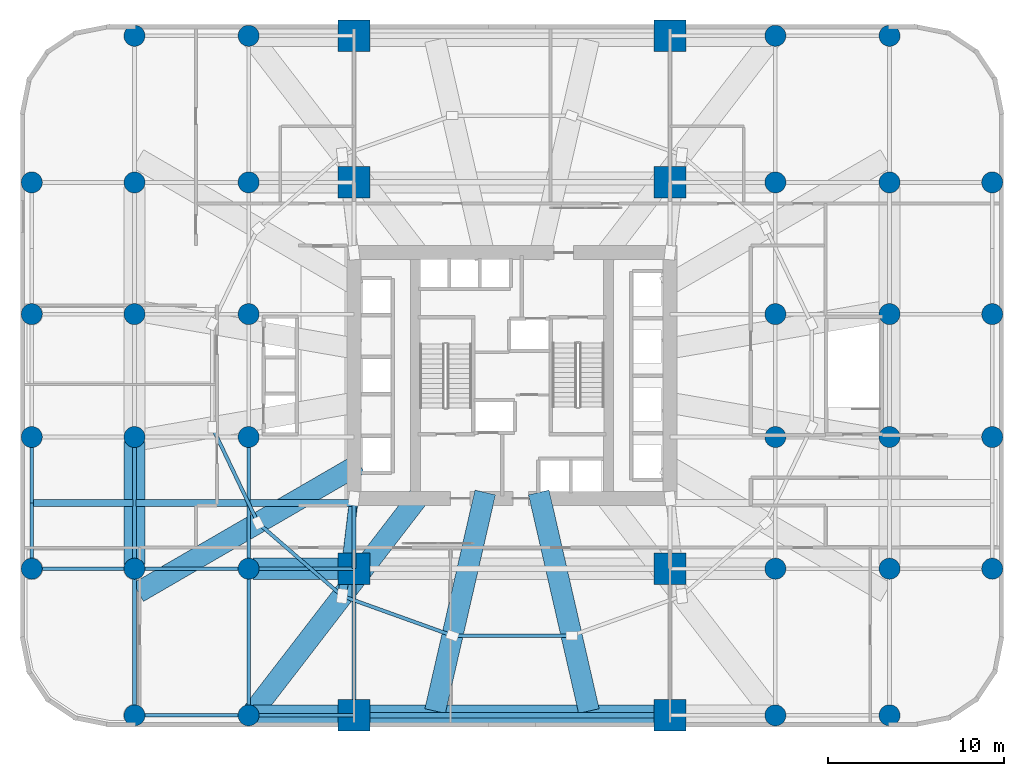
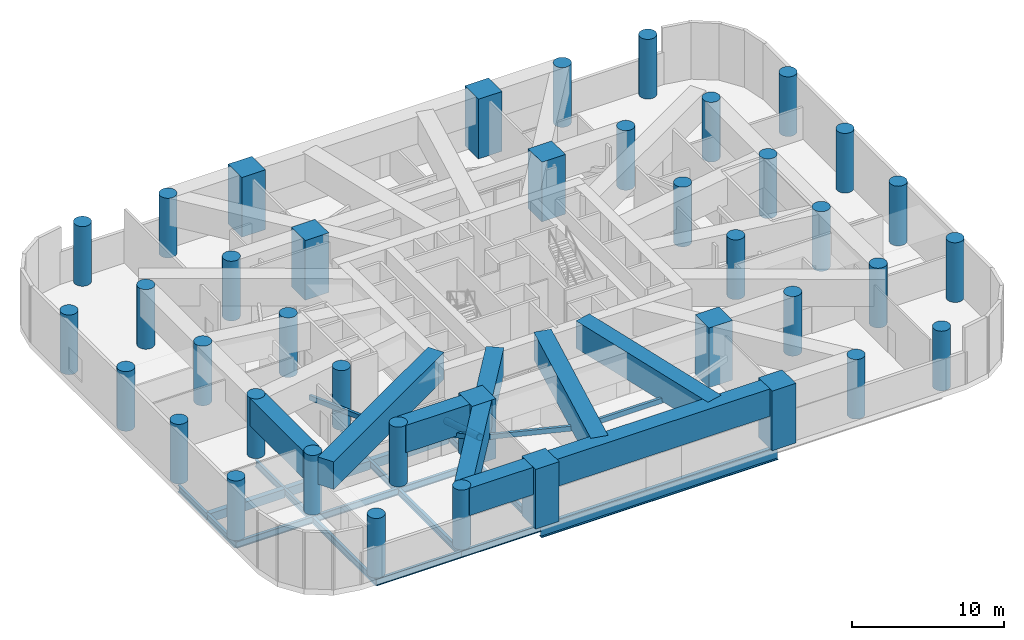
# One storey, part 1 of 10: 40 columns, 25 beams, 5 members.
"""IFC4 building model written with IfcOpenShell, lengths in metres."""

from ifc_helpers import new_model, si_unit, direction, frame, origin, origin_2d, place, context, subcontext, project, spatial, rectangle, hollow_rectangle, circle, hollow_circle, i_section, extrude, material, material_profile, profile_set, type_object, element, save


model = new_model("IFC4")

# Units and contexts
model_context = context("Model", 3, precision=1e-05, world=origin(), true_north=direction((0.0, 1.0)))
body_context = subcontext(model_context, "Body", "Model", "MODEL_VIEW")
ifc_project = project(units=[si_unit("LENGTHUNIT", "METRE"), si_unit("AREAUNIT", "SQUARE_METRE"), si_unit("VOLUMEUNIT", "CUBIC_METRE"), si_unit("PLANEANGLEUNIT", "RADIAN"), si_unit("MASSUNIT", "GRAM", prefix="KILO")], contexts=[model_context])

# Site, building, storey
site_placement = place(None, origin())
site = spatial("IfcSite", under=ifc_project, at=site_placement, CompositionType="ELEMENT")
building_placement = place(site_placement, origin())
building = spatial("IfcBuilding", under=site, at=building_placement, Name="Veldorim Arch Residences", CompositionType="ELEMENT")
storey_placement = place(building_placement, frame((0.0, 0.0, 20.0)))
storey = spatial("IfcBuildingStorey", under=building, at=storey_placement, Name="L05", CompositionType="ELEMENT", Elevation=20.0)

# Columns
ifc_material_1 = material(Name="Concrete C60/75", Category="concrete")
ifc_material_profile_1 = material_profile(ifc_material_1, circle(Radius=0.60009765625, at=origin_2d()), Name="RC_CIRC_1200")
ifc_profile_set_1 = profile_set([ifc_material_profile_1], Name="Concrete C60/75")
column_type_1 = type_object("IfcColumnType", Name="Structural Column RC_CIRC_1200", PredefinedType="COLUMN", material=ifc_profile_set_1)
for number, where, z_axis, x_axis, name in (
    (1, (4.64990234375, 13.0, 0.0), (0.0, 0.0, 1.0), (1.0, 0.0, 0.0), "L05 podium column (4.65, 13.00)"),
    (2, (4.64990234375, 20.5, 0.0), (0.0, 0.0, 1.0), (1.0, 0.0, 0.0), "L05 podium column (4.65, 20.50)"),
    (3, (4.64990234375, 27.5, 0.0), (0.0, 0.0, 1.0), (1.0, 0.0, 0.0), "L05 podium column (4.65, 27.50)"),
    (4, (4.64990234375, 35.0, 0.0), (0.0, 0.0, 1.0), (1.0, 0.0, 0.0), "L05 podium column (4.65, 35.00)"),
    (5, (10.5, 4.64990234375, 0.0), (0.0, 0.0, 1.0), (1.0, 0.0, 0.0), "L05 podium column (10.50, 4.65)"),
    (6, (10.5, 13.0, 0.0), (0.0, 0.0, 1.0), (1.0, 0.0, 0.0), "L05 podium column (10.50, 13.00)"),
    (7, (10.5, 20.5, 0.0), (0.0, 0.0, 1.0), (1.0, 0.0, 0.0), "L05 podium column (10.50, 20.50)"),
    (8, (10.5, 27.5, 0.0), (0.0, 0.0, 1.0), (1.0, 0.0, 0.0), "L05 podium column (10.50, 27.50)"),
    (9, (10.5, 35.0, 0.0), (0.0, 0.0, 1.0), (1.0, 0.0, 0.0), "L05 podium column (10.50, 35.00)"),
    (10, (10.5, 43.35009765625, 0.0), (0.0, 0.0, 1.0), (1.0, 0.0, 0.0), "L05 podium column (10.50, 43.35)"),
    (11, (17.0, 4.64990234375, 0.0), (0.0, 0.0, 1.0), (1.0, 0.0, 0.0), "L05 podium column (17.00, 4.65)"),
    (12, (17.0, 13.0, 0.0), (0.0, 0.0, 1.0), (1.0, 0.0, 0.0), "L05 podium column (17.00, 13.00)"),
    (13, (17.0, 20.5, 0.0), (0.0, 0.0, 1.0), (1.0, 0.0, 0.0), "L05 podium column (17.00, 20.50)"),
    (14, (17.0, 27.5, 0.0), (0.0, 0.0, 1.0), (1.0, 0.0, 0.0), "L05 podium column (17.00, 27.50)"),
    (15, (17.0, 35.0, 0.0), (0.0, 0.0, 1.0), (1.0, 0.0, 0.0), "L05 podium column (17.00, 35.00)"),
    (16, (17.0, 43.35009765625, 0.0), (0.0, 0.0, 1.0), (1.0, 0.0, 0.0), "L05 podium column (17.00, 43.35)"),
    (17, (47.0, 4.64990234375, 0.0), (0.0, 0.0, 1.0), (1.0, 0.0, 0.0), "L05 podium column (47.00, 4.65)"),
    (18, (47.0, 13.0, 0.0), (0.0, 0.0, 1.0), (1.0, 0.0, 0.0), "L05 podium column (47.00, 13.00)"),
    (19, (47.0, 20.5, 0.0), (0.0, 0.0, 1.0), (1.0, 0.0, 0.0), "L05 podium column (47.00, 20.50)"),
    (20, (47.0, 27.5, 0.0), (0.0, 0.0, 1.0), (1.0, 0.0, 0.0), "L05 podium column (47.00, 27.50)"),
    (21, (47.0, 35.0, 0.0), (0.0, 0.0, 1.0), (1.0, 0.0, 0.0), "L05 podium column (47.00, 35.00)"),
    (22, (47.0, 43.35009765625, 0.0), (0.0, 0.0, 1.0), (1.0, 0.0, 0.0), "L05 podium column (47.00, 43.35)"),
    (23, (53.5, 4.64990234375, 0.0), (0.0, 0.0, 1.0), (1.0, 0.0, 0.0), "L05 podium column (53.50, 4.65)"),
    (24, (53.5, 13.0, 0.0), (0.0, 0.0, 1.0), (1.0, 0.0, 0.0), "L05 podium column (53.50, 13.00)"),
    (25, (53.5, 20.5, 0.0), (0.0, 0.0, 1.0), (1.0, 0.0, 0.0), "L05 podium column (53.50, 20.50)"),
    (26, (53.5, 27.5, 0.0), (0.0, 0.0, 1.0), (1.0, 0.0, 0.0), "L05 podium column (53.50, 27.50)"),
    (27, (53.5, 35.0, 0.0), (0.0, 0.0, 1.0), (1.0, 0.0, 0.0), "L05 podium column (53.50, 35.00)"),
    (28, (53.5, 43.35009765625, 0.0), (0.0, 0.0, 1.0), (1.0, 0.0, 0.0), "L05 podium column (53.50, 43.35)"),
    (29, (59.35009765625, 13.0, 0.0), (0.0, 0.0, 1.0), (1.0, 0.0, 0.0), "L05 podium column (59.35, 13.00)"),
    (30, (59.35009765625, 20.5, 0.0), (0.0, 0.0, 1.0), (1.0, 0.0, 0.0), "L05 podium column (59.35, 20.50)"),
    (31, (59.35009765625, 27.5, 0.0), (0.0, 0.0, 1.0), (1.0, 0.0, 0.0), "L05 podium column (59.35, 27.50)"),
    (32, (59.35009765625, 35.0, 0.0), (0.0, 0.0, 1.0), (1.0, 0.0, 0.0), "L05 podium column (59.35, 35.00)"),
):
    element("IfcColumn", number, at=place(storey_placement, frame(where, z_axis=z_axis, x_axis=x_axis)), inside=storey, type_object=column_type_1, Name=name, PredefinedType="COLUMN", context=body_context, shape_type="SweptSolid", body=[
        extrude(circle(Radius=0.60009765625, at=origin_2d()), origin(), (0.0, 0.0, 1.0), 4.800048828125),
    ])
ifc_material_2 = material(Name="Concrete C60/75", Category="concrete")
ifc_material_profile_2 = material_profile(ifc_material_2, rectangle(XDim=1.800048828125, YDim=1.800048828125, at=origin_2d()), Name="RC_RECT_1800x1800")
ifc_profile_set_2 = profile_set([ifc_material_profile_2], Name="Concrete C60/75")
column_type_2 = type_object("IfcColumnType", Name="Structural Column RC_RECT_1800x1800", PredefinedType="COLUMN", material=ifc_profile_set_2)
for number, where, z_axis, x_axis, name in (
    (33, (23.0, 4.64990234375, 0.0), (0.0, 0.0, 1.0), (1.0, 0.0, 0.0), "L05 arch mega-pier (23.00, 4.65)"),
    (34, (23.0, 13.0, 0.0), (0.0, 0.0, 1.0), (1.0, 0.0, 0.0), "L05 arch mega-pier (23.00, 13.00)"),
    (35, (23.0, 35.0, 0.0), (0.0, 0.0, 1.0), (1.0, 0.0, 0.0), "L05 arch mega-pier (23.00, 35.00)"),
    (36, (23.0, 43.35009765625, 0.0), (0.0, 0.0, 1.0), (1.0, 0.0, 0.0), "L05 arch mega-pier (23.00, 43.35)"),
    (37, (41.0, 4.64990234375, 0.0), (0.0, 0.0, 1.0), (1.0, 0.0, 0.0), "L05 arch mega-pier (41.00, 4.65)"),
    (38, (41.0, 13.0, 0.0), (0.0, 0.0, 1.0), (1.0, 0.0, 0.0), "L05 arch mega-pier (41.00, 13.00)"),
    (39, (41.0, 35.0, 0.0), (0.0, 0.0, 1.0), (1.0, 0.0, 0.0), "L05 arch mega-pier (41.00, 35.00)"),
    (40, (41.0, 43.35009765625, 0.0), (0.0, 0.0, 1.0), (1.0, 0.0, 0.0), "L05 arch mega-pier (41.00, 43.35)"),
):
    element("IfcColumn", number, at=place(storey_placement, frame(where, z_axis=z_axis, x_axis=x_axis)), inside=storey, type_object=column_type_2, Name=name, PredefinedType="COLUMN", context=body_context, shape_type="SweptSolid", body=[
        extrude(rectangle(XDim=1.800048828125, YDim=1.800048828125, at=origin_2d()), origin(), (0.0, 0.0, 1.0), 4.800048828125),
    ])

# Member
ifc_material_3 = material(Name="Steel S460", Category="steel")
ifc_material_profile_3 = material_profile(ifc_material_3, hollow_circle(Radius=0.25390625, WallThickness=0.034912109375, at=origin_2d()), Name="CHS508x35")
ifc_profile_set_3 = profile_set([ifc_material_profile_3], Name="Steel S460")
member_type_1 = type_object("IfcMemberType", Name="Crown Diagrid CHS508x35", PredefinedType="BRACE", material=ifc_profile_set_3)
member_1_placement = place(storey_placement, frame((23.0, 17.0, 0.35009765625), z_axis=(-0.110259508846, -0.918318032312, 0.380177369446), x_axis=(0.992868990307, -0.119210603917, 0.0)))
element("IfcMember", 41, at=member_1_placement, inside=storey, type_object=member_type_1, Name="L05 corner transfer compression strut 01", PredefinedType="BRACE", context=body_context, shape_type="SweptSolid", body=[
    extrude(hollow_circle(Radius=0.25390625, WallThickness=0.034912109375, at=origin_2d()), origin(), (0.0, 0.0, 1.0), 6.04931640625),
])

# Beams
ifc_material_4 = material(Name="Concrete C50/60", Category="concrete")
ifc_material_profile_4 = material_profile(ifc_material_4, rectangle(XDim=0.39990234375, YDim=0.699951171875, at=origin_2d()), Name="RC_RECT_400x700")
ifc_profile_set_4 = profile_set([ifc_material_profile_4], Name="Concrete C50/60")
beam_type_1 = type_object("IfcBeamType", Name="Reinforced Concrete Lintel RC_RECT_400x700", PredefinedType="LINTEL", material=ifc_profile_set_4)
beam_1_placement = place(storey_placement, frame((4.72998046875, 16.75, -0.800048828125), z_axis=(1.0, 0.0, 0.0), x_axis=(0.0, 1.0, 0.0)))
element("IfcBeam", 42, at=beam_1_placement, inside=storey, type_object=beam_type_1, Name="L05 clinic riser header beam 01", PredefinedType="LINTEL", context=body_context, shape_type="SweptSolid", body=[
    extrude(rectangle(XDim=0.39990234375, YDim=0.699951171875, at=origin_2d()), origin(), (0.0, 0.0, 1.0), 5.68994140625),
])
beam_2_placement = place(storey_placement, frame((10.580078125, 16.75, -0.800048828125), z_axis=(1.0, 0.0, 0.0), x_axis=(0.0, 1.0, 0.0)))
element("IfcBeam", 43, at=beam_2_placement, inside=storey, type_object=beam_type_1, Name="L05 clinic riser header beam 02", PredefinedType="LINTEL", context=body_context, shape_type="SweptSolid", body=[
    extrude(rectangle(XDim=0.39990234375, YDim=0.699951171875, at=origin_2d()), origin(), (0.0, 0.0, 1.0), 6.33984375),
])
beam_3_placement = place(storey_placement, frame((17.080078125, 16.75, -0.800048828125), z_axis=(1.0, 0.0, 0.0), x_axis=(0.0, 1.0, 0.0)))
element("IfcBeam", 44, at=beam_3_placement, inside=storey, type_object=beam_type_1, Name="L05 clinic riser header beam 03", PredefinedType="LINTEL", context=body_context, shape_type="SweptSolid", body=[
    extrude(rectangle(XDim=0.39990234375, YDim=0.699951171875, at=origin_2d()), origin(), (0.0, 0.0, 1.0), 5.83984375),
])
ifc_material_5 = material(Name="Concrete C60/75", Category="concrete")
ifc_material_profile_5 = material_profile(ifc_material_5, rectangle(XDim=1.199951171875, YDim=2.199951171875, at=origin_2d()), Name="RC_RECT_1200x2200")
ifc_profile_set_5 = profile_set([ifc_material_profile_5], Name="Concrete C60/75")
beam_type_2 = type_object("IfcBeamType", Name="Reinforced Concrete TRANSFER GIRDER RC_RECT_1200x2200", PredefinedType="USERDEFINED", material=ifc_profile_set_5)
beam_4_placement = place(storey_placement, frame((17.25, 4.64990234375, 3.699951171875), z_axis=(1.0, 0.0, 0.0), x_axis=(0.0, 1.0, 0.0)))
element("IfcBeam", 45, at=beam_4_placement, inside=storey, type_object=beam_type_2, Name="L05 primary east-west transfer girder Y=4.65 W", ObjectType="TRANSFER GIRDER", PredefinedType="USERDEFINED", context=body_context, shape_type="SweptSolid", body=[
    extrude(rectangle(XDim=1.199951171875, YDim=2.199951171875, at=origin_2d()), origin(), (0.0, 0.0, 1.0), 5.5),
])
beam_5_placement = place(storey_placement, frame((23.25, 4.64990234375, 3.699951171875), z_axis=(1.0, 0.0, 0.0), x_axis=(0.0, 1.0, 0.0)))
element("IfcBeam", 46, at=beam_5_placement, inside=storey, type_object=beam_type_2, Name="L05 primary east-west transfer girder Y=4.65 M", ObjectType="TRANSFER GIRDER", PredefinedType="USERDEFINED", context=body_context, shape_type="SweptSolid", body=[
    extrude(rectangle(XDim=1.199951171875, YDim=2.199951171875, at=origin_2d()), origin(), (0.0, 0.0, 1.0), 17.5),
])
beam_6_placement = place(storey_placement, frame((17.25, 13.0, 3.699951171875), z_axis=(1.0, 0.0, 0.0), x_axis=(0.0, 1.0, 0.0)))
element("IfcBeam", 47, at=beam_6_placement, inside=storey, type_object=beam_type_2, Name="L05 primary east-west transfer girder Y=13.00 W", ObjectType="TRANSFER GIRDER", PredefinedType="USERDEFINED", context=body_context, shape_type="SweptSolid", body=[
    extrude(rectangle(XDim=1.199951171875, YDim=2.199951171875, at=origin_2d()), origin(), (0.0, 0.0, 1.0), 5.5),
])
beam_7_placement = place(storey_placement, frame((10.5, 13.25, 3.699951171875), z_axis=(0.0, 1.0, 0.0), x_axis=(-1.0, 0.0, 0.0)))
element("IfcBeam", 48, at=beam_7_placement, inside=storey, type_object=beam_type_2, Name="L05 primary north-south transfer girder X=10.5 S", ObjectType="TRANSFER GIRDER", PredefinedType="USERDEFINED", context=body_context, shape_type="SweptSolid", body=[
    extrude(rectangle(XDim=1.199951171875, YDim=2.199951171875, at=origin_2d()), origin(), (0.0, 0.0, 1.0), 7.0),
])
beam_8_placement = place(storey_placement, frame((23.302734375, 18.956787109375, 3.699951171875), z_axis=(-0.865091774867, -0.501613617296, 0.0), x_axis=(0.501613617296, -0.865091774867, 0.0)))
element("IfcBeam", 49, at=beam_8_placement, inside=storey, type_object=beam_type_2, Name="L05 radial transfer girder 10", ObjectType="TRANSFER GIRDER", PredefinedType="USERDEFINED", context=body_context, shape_type="SweptSolid", body=[
    extrude(rectangle(XDim=1.199951171875, YDim=2.199951171875, at=origin_2d()), origin(), (0.0, 0.0, 1.0), 14.54931640625),
])
beam_9_placement = place(storey_placement, frame((26.82373046875, 17.27734375, 3.699951171875), z_axis=(-0.610067218595, -0.792349663214, 0.0), x_axis=(0.792349663214, -0.610067218595, 0.0)))
element("IfcBeam", 50, at=beam_9_placement, inside=storey, type_object=beam_type_2, Name="L05 radial transfer girder 11", ObjectType="TRANSFER GIRDER", PredefinedType="USERDEFINED", context=body_context, shape_type="SweptSolid", body=[
    extrude(rectangle(XDim=1.199951171875, YDim=2.199951171875, at=origin_2d()), origin(), (0.0, 0.0, 1.0), 15.6865234375),
])
for number, where, z_axis, x_axis, name in (
    (51, (30.4736328125, 17.34130859375, 3.699951171875), (-0.223411348819, -0.974724252914, 0.0), (0.974724252914, -0.223411348819, 0.0), "L05 radial transfer girder 12"),
    (52, (33.5263671875, 17.34130859375, 3.699951171875), (0.223411348819, -0.974724252914, 0.0), (0.974724252914, 0.223411348819, 0.0), "L05 radial transfer girder 13"),
):
    element("IfcBeam", number, at=place(storey_placement, frame(where, z_axis=z_axis, x_axis=x_axis)), inside=storey, type_object=beam_type_2, Name=name, ObjectType="TRANSFER GIRDER", PredefinedType="USERDEFINED", context=body_context, shape_type="SweptSolid", body=[
        extrude(rectangle(XDim=1.199951171875, YDim=2.199951171875, at=origin_2d()), origin(), (0.0, 0.0, 1.0), 12.770263671875),
    ])
ifc_material_6 = material(Name="Steel S355", Category="steel")
ifc_material_profile_6 = material_profile(ifc_material_6, i_section(OverallWidth=0.2099609375, OverallDepth=0.53662109375, WebThickness=0.0107421875, FlangeThickness=0.017333984375, at=origin_2d()), Name="UB533x210x101")
ifc_profile_set_6 = profile_set([ifc_material_profile_6], Name="Steel S355")
beam_type_3 = type_object("IfcBeamType", Name="Structural Steel Beam UB533x210x101", PredefinedType="BEAM", material=ifc_profile_set_6)
for number, where, z_axis, x_axis, name in (
    (53, (4.64990234375, 13.0, -0.718505859375), (0.0, 1.0, 0.0), (-1.0, 0.0, 0.0), "L05 north-south floor beam (X=4.7, 13.0-16.8)"),
    (54, (4.64990234375, 16.75, -0.718505859375), (0.0, 1.0, 0.0), (-1.0, 0.0, 0.0), "L05 north-south floor beam (X=4.7, 16.8-20.5)"),
):
    element("IfcBeam", number, at=place(storey_placement, frame(where, z_axis=z_axis, x_axis=x_axis)), inside=storey, type_object=beam_type_3, Name=name, PredefinedType="BEAM", context=body_context, shape_type="SweptSolid", body=[
        extrude(i_section(OverallWidth=0.2099609375, OverallDepth=0.53662109375, WebThickness=0.0107421875, FlangeThickness=0.017333984375, at=origin_2d()), origin(), (0.0, 0.0, 1.0), 3.75),
    ])
beam_10_placement = place(storey_placement, frame((10.5, 4.64990234375, -0.718505859375), z_axis=(0.0, 1.0, 0.0), x_axis=(-1.0, 0.0, 0.0)))
element("IfcBeam", 55, at=beam_10_placement, inside=storey, type_object=beam_type_3, Name="L05 north-south floor beam (X=10.5, 4.7-13.0)", PredefinedType="BEAM", context=body_context, shape_type="SweptSolid", body=[
    extrude(i_section(OverallWidth=0.2099609375, OverallDepth=0.53662109375, WebThickness=0.0107421875, FlangeThickness=0.017333984375, at=origin_2d()), origin(), (0.0, 0.0, 1.0), 8.35009765625),
])
beam_11_placement = place(storey_placement, frame((10.5, 13.0, -0.718505859375), z_axis=(0.0, 1.0, 0.0), x_axis=(-1.0, 0.0, 0.0)))
element("IfcBeam", 56, at=beam_11_placement, inside=storey, type_object=beam_type_3, Name="L05 north-south floor beam (X=10.5, 13.0-20.5)", PredefinedType="BEAM", context=body_context, shape_type="SweptSolid", body=[
    extrude(i_section(OverallWidth=0.2099609375, OverallDepth=0.53662109375, WebThickness=0.0107421875, FlangeThickness=0.017333984375, at=origin_2d()), origin(), (0.0, 0.0, 1.0), 7.5),
])
beam_12_placement = place(storey_placement, frame((17.0, 4.64990234375, -0.718505859375), z_axis=(0.0, 1.0, 0.0), x_axis=(-1.0, 0.0, 0.0)))
element("IfcBeam", 57, at=beam_12_placement, inside=storey, type_object=beam_type_3, Name="L05 north-south floor beam (X=17.0, 4.7-13.0)", PredefinedType="BEAM", context=body_context, shape_type="SweptSolid", body=[
    extrude(i_section(OverallWidth=0.2099609375, OverallDepth=0.53662109375, WebThickness=0.0107421875, FlangeThickness=0.017333984375, at=origin_2d()), origin(), (0.0, 0.0, 1.0), 8.35009765625),
])
beam_13_placement = place(storey_placement, frame((17.0, 13.0, -0.718505859375), z_axis=(0.0, 1.0, 0.0), x_axis=(-1.0, 0.0, 0.0)))
element("IfcBeam", 58, at=beam_13_placement, inside=storey, type_object=beam_type_3, Name="L05 north-south floor beam (X=17.0, 13.0-20.5)", PredefinedType="BEAM", context=body_context, shape_type="SweptSolid", body=[
    extrude(i_section(OverallWidth=0.2099609375, OverallDepth=0.53662109375, WebThickness=0.0107421875, FlangeThickness=0.017333984375, at=origin_2d()), origin(), (0.0, 0.0, 1.0), 7.5),
])
beam_14_placement = place(storey_placement, frame((23.0, 4.64990234375, -0.718505859375), z_axis=(0.0, 1.0, 0.0), x_axis=(-1.0, 0.0, 0.0)))
element("IfcBeam", 59, at=beam_14_placement, inside=storey, type_object=beam_type_3, Name="L05 north-south floor beam (X=23.0, 4.7-13.0)", PredefinedType="BEAM", context=body_context, shape_type="SweptSolid", body=[
    extrude(i_section(OverallWidth=0.2099609375, OverallDepth=0.53662109375, WebThickness=0.0107421875, FlangeThickness=0.017333984375, at=origin_2d()), origin(), (0.0, 0.0, 1.0), 8.35009765625),
])
beam_15_placement = place(storey_placement, frame((23.0, 13.0, -0.718505859375), z_axis=(0.0, 1.0, 0.0), x_axis=(-1.0, 0.0, 0.0)))
element("IfcBeam", 60, at=beam_15_placement, inside=storey, type_object=beam_type_3, Name="L05 north-south floor beam (X=23.0, 13.0-17.0)", PredefinedType="BEAM", context=body_context, shape_type="SweptSolid", body=[
    extrude(i_section(OverallWidth=0.2099609375, OverallDepth=0.53662109375, WebThickness=0.0107421875, FlangeThickness=0.017333984375, at=origin_2d()), origin(), (0.0, 0.0, 1.0), 4.0),
])
ifc_material_7 = material(Name="Steel S355", Category="steel")
ifc_material_profile_7 = material_profile(ifc_material_7, i_section(OverallWidth=0.2119140625, OverallDepth=0.54443359375, WebThickness=0.0126953125, FlangeThickness=0.021240234375, at=origin_2d()), Name="UB533x210x122")
ifc_profile_set_7 = profile_set([ifc_material_profile_7], Name="Steel S355")
beam_type_4 = type_object("IfcBeamType", Name="Structural Steel Beam UB533x210x122", PredefinedType="BEAM", material=ifc_profile_set_7)
beam_16_placement = place(storey_placement, frame((10.5, 4.64990234375, -0.72216796875), z_axis=(1.0, 0.0, 0.0), x_axis=(0.0, 1.0, 0.0)))
element("IfcBeam", 61, at=beam_16_placement, inside=storey, type_object=beam_type_4, Name="L05 east-west floor beam (10.5-17.0, Y=4.7)", PredefinedType="BEAM", context=body_context, shape_type="SweptSolid", body=[
    extrude(i_section(OverallWidth=0.2119140625, OverallDepth=0.54443359375, WebThickness=0.0126953125, FlangeThickness=0.021240234375, at=origin_2d()), origin(), (0.0, 0.0, 1.0), 6.5),
])
beam_17_placement = place(storey_placement, frame((17.0, 4.64990234375, -0.72216796875), z_axis=(1.0, 0.0, 0.0), x_axis=(0.0, 1.0, 0.0)))
element("IfcBeam", 62, at=beam_17_placement, inside=storey, type_object=beam_type_4, Name="L05 east-west floor beam (17.0-23.0, Y=4.7)", PredefinedType="BEAM", context=body_context, shape_type="SweptSolid", body=[
    extrude(i_section(OverallWidth=0.2119140625, OverallDepth=0.54443359375, WebThickness=0.0126953125, FlangeThickness=0.021240234375, at=origin_2d()), origin(), (0.0, 0.0, 1.0), 6.0),
])
beam_18_placement = place(storey_placement, frame((4.64990234375, 13.0, -0.72216796875), z_axis=(1.0, 0.0, 0.0), x_axis=(0.0, 1.0, 0.0)))
element("IfcBeam", 63, at=beam_18_placement, inside=storey, type_object=beam_type_4, Name="L05 east-west floor beam (4.7-10.5, Y=13.0)", PredefinedType="BEAM", context=body_context, shape_type="SweptSolid", body=[
    extrude(i_section(OverallWidth=0.2119140625, OverallDepth=0.54443359375, WebThickness=0.0126953125, FlangeThickness=0.021240234375, at=origin_2d()), origin(), (0.0, 0.0, 1.0), 5.85009765625),
])
beam_19_placement = place(storey_placement, frame((10.5, 13.0, -0.72216796875), z_axis=(1.0, 0.0, 0.0), x_axis=(0.0, 1.0, 0.0)))
element("IfcBeam", 64, at=beam_19_placement, inside=storey, type_object=beam_type_4, Name="L05 east-west floor beam (10.5-17.0, Y=13.0)", PredefinedType="BEAM", context=body_context, shape_type="SweptSolid", body=[
    extrude(i_section(OverallWidth=0.2119140625, OverallDepth=0.54443359375, WebThickness=0.0126953125, FlangeThickness=0.021240234375, at=origin_2d()), origin(), (0.0, 0.0, 1.0), 6.5),
])
beam_20_placement = place(storey_placement, frame((17.0, 13.0, -0.72216796875), z_axis=(1.0, 0.0, 0.0), x_axis=(0.0, 1.0, 0.0)))
element("IfcBeam", 65, at=beam_20_placement, inside=storey, type_object=beam_type_4, Name="L05 east-west floor beam (17.0-23.0, Y=13.0)", PredefinedType="BEAM", context=body_context, shape_type="SweptSolid", body=[
    extrude(i_section(OverallWidth=0.2119140625, OverallDepth=0.54443359375, WebThickness=0.0126953125, FlangeThickness=0.021240234375, at=origin_2d()), origin(), (0.0, 0.0, 1.0), 6.0),
])
ifc_material_8 = material(Name="Steel S460", Category="steel")
ifc_material_profile_8 = material_profile(ifc_material_8, i_section(OverallWidth=0.305419921875, OverallDepth=1.02587890625, WebThickness=0.02685546875, FlangeThickness=0.053955078125, at=origin_2d()), Name="UB1016x305x437")
ifc_profile_set_8 = profile_set([ifc_material_profile_8], Name="Steel S460")
beam_type_5 = type_object("IfcBeamType", Name="Structural Steel GIRDER UB1016x305x437", PredefinedType="USERDEFINED", material=ifc_profile_set_8)
beam_21_placement = place(storey_placement, frame((23.0, 4.64990234375, -0.962890625), z_axis=(1.0, 0.0, 0.0), x_axis=(0.0, 1.0, 0.0)))
element("IfcBeam", 66, at=beam_21_placement, inside=storey, type_object=beam_type_5, Name="L05 east-west floor beam (23.0-41.0, Y=4.7)", ObjectType="GIRDER", PredefinedType="USERDEFINED", context=body_context, shape_type="SweptSolid", body=[
    extrude(i_section(OverallWidth=0.305419921875, OverallDepth=1.02587890625, WebThickness=0.02685546875, FlangeThickness=0.053955078125, at=origin_2d()), origin(), (0.0, 0.0, 1.0), 18.0),
])

# Members
ifc_material_9 = material(Name="Steel S460", Category="steel")
ifc_material_profile_9 = material_profile(ifc_material_9, hollow_rectangle(XDim=0.199951171875, YDim=0.39990234375, WallThickness=0.01611328125, at=origin_2d()), Name="RHS400x200x16")
ifc_profile_set_9 = profile_set([ifc_material_profile_9], Name="Steel S460")
member_type_2 = type_object("IfcMemberType", Name="Truss Chord RHS400x200x16", PredefinedType="CHORD", material=ifc_profile_set_9)
member_2_placement = place(storey_placement, frame((14.934326171875, 21.05419921875, 2.64990234375), z_axis=(0.430753562194, -0.902469594312, 0.0), x_axis=(0.902469594312, 0.430753562194, 0.0)))
element("IfcMember", 67, at=member_2_placement, inside=storey, type_object=member_type_2, Name="L05 transfer ring tie chord 09", PredefinedType="CHORD", context=body_context, shape_type="SweptSolid", body=[
    extrude(hollow_rectangle(XDim=0.199951171875, YDim=0.39990234375, WallThickness=0.01611328125, at=origin_2d()), origin(), (0.0, 0.0, 1.0), 6.03173828125),
])
member_3_placement = place(storey_placement, frame((17.532470703125, 15.61083984375, 2.64990234375), z_axis=(0.755256756497, -0.655429044035, 0.0), x_axis=(0.655429044035, 0.755256756497, 0.0)))
element("IfcMember", 68, at=member_3_placement, inside=storey, type_object=member_type_2, Name="L05 transfer ring tie chord 10", PredefinedType="CHORD", context=body_context, shape_type="SweptSolid", body=[
    extrude(hollow_rectangle(XDim=0.199951171875, YDim=0.39990234375, WallThickness=0.01611328125, at=origin_2d()), origin(), (0.0, 0.0, 1.0), 6.356201171875),
])
member_4_placement = place(storey_placement, frame((22.3330078125, 11.44482421875, 2.64990234375), z_axis=(0.941052127441, -0.338261575468, 0.0), x_axis=(0.338261575468, 0.941052127441, 0.0)))
element("IfcMember", 69, at=member_4_placement, inside=storey, type_object=member_type_2, Name="L05 transfer ring tie chord 11", PredefinedType="CHORD", context=body_context, shape_type="SweptSolid", body=[
    extrude(hollow_rectangle(XDim=0.199951171875, YDim=0.39990234375, WallThickness=0.01611328125, at=origin_2d()), origin(), (0.0, 0.0, 1.0), 6.665283203125),
])
member_5_placement = place(storey_placement, frame((28.60546875, 9.190185546875, 2.64990234375), z_axis=(1.0, 0.0, 0.0), x_axis=(0.0, 1.0, 0.0)))
element("IfcMember", 70, at=member_5_placement, inside=storey, type_object=member_type_2, Name="L05 transfer ring tie chord 12", PredefinedType="CHORD", context=body_context, shape_type="SweptSolid", body=[
    extrude(hollow_rectangle(XDim=0.199951171875, YDim=0.39990234375, WallThickness=0.01611328125, at=origin_2d()), origin(), (0.0, 0.0, 1.0), 6.7890625),
])

save(model, "model.ifc")
